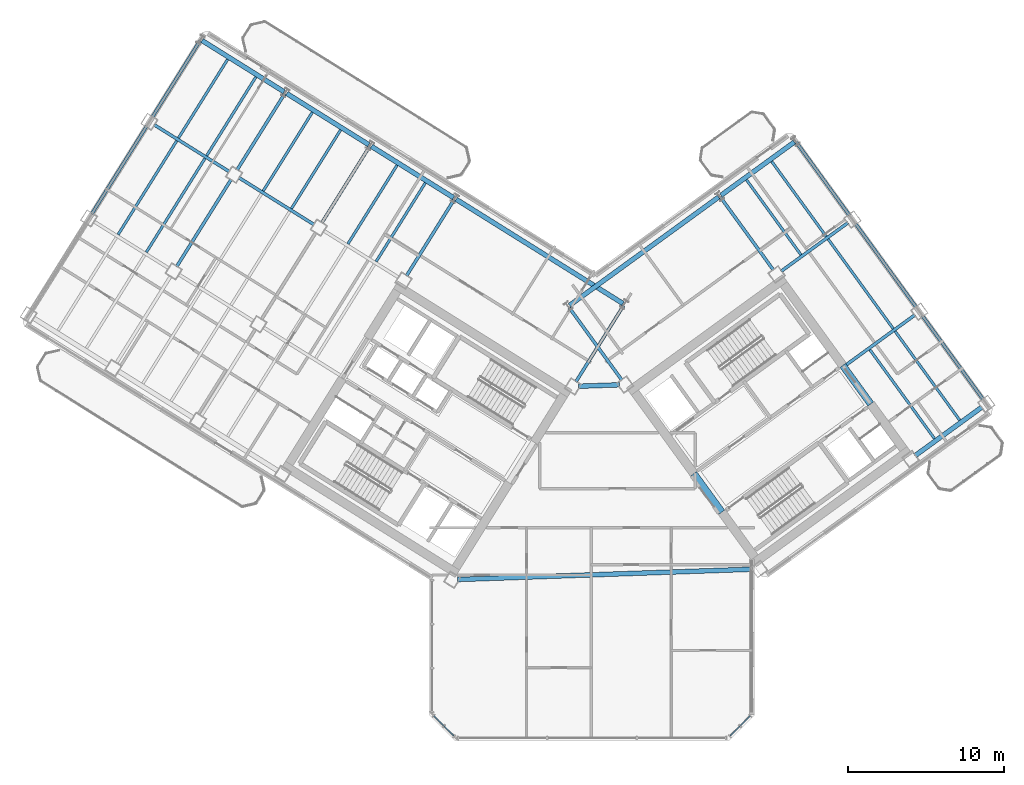
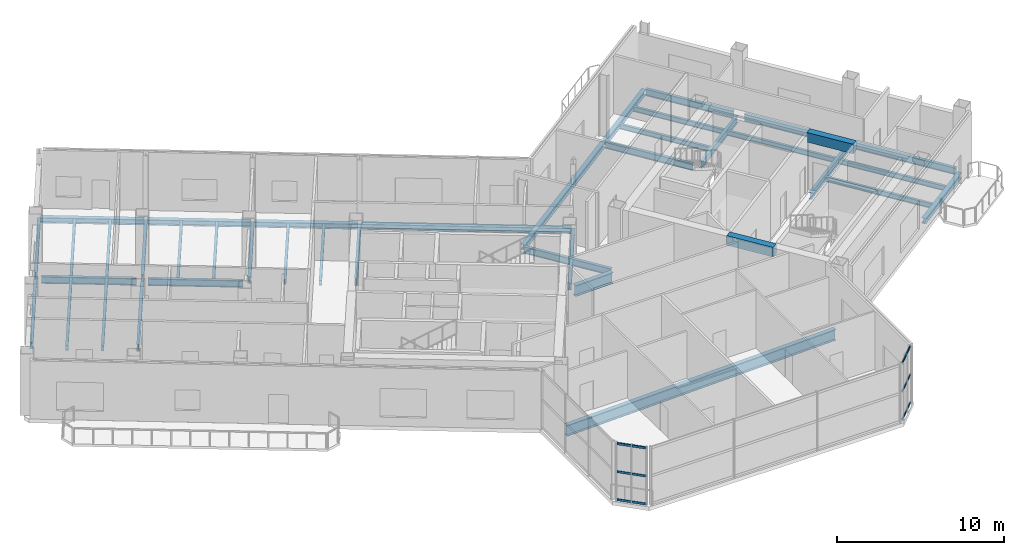
# One storey, part 7 of 21: 40 beams, 12 members, 2 elements without a shape of their own.
"""IFC4 building model written with IfcOpenShell, lengths in metres."""

import ifcopenshell
import ifcopenshell.guid

model = None  # the IFC model being written
_history = None  # IfcOwnerHistory: only IFC2X3 demands one
_inside = {}  # id of a spatial element -> (the spatial element, [elements in it])
_under = {}  # id of a project, library or spatial element -> (it, [spatial elements below it])
_declared = {}  # id of a project -> (the project, [libraries it declares])
_typed = {}  # id of a type object -> (the type object, [elements of that type])
_made_of = {}  # id of a material, layer set ... -> (it, [elements and type objects made of it])


def new_model(schema):
    """Start an empty IFC model of exactly this schema.

    Asked for "IFC4X3", IfcOpenShell would pick the latest addendum, in which some entities
    have other attributes; the version numbers below select the first issue.
    IFC2X3 requires an IfcOwnerHistory on every rooted entity: one is made here for all.
    """
    global model, _history
    if schema == "IFC4X3":
        model = ifcopenshell.file(schema_version=(4, 3, 0, 0))
    else:
        model = ifcopenshell.file(schema=schema)
    _inside.clear()
    _under.clear()
    _declared.clear()
    _typed.clear()
    _made_of.clear()
    _history = None
    if model.schema == "IFC2X3":
        org = make("IfcOrganization", Name="unknown")
        user = make(
            "IfcPersonAndOrganization",
            ThePerson=make("IfcPerson", FamilyName="unknown"),
            TheOrganization=org,
        )
        app = make(
            "IfcApplication",
            ApplicationDeveloper=org,
            Version="unknown",
            ApplicationFullName="unknown",
            ApplicationIdentifier="unknown",
        )
        _history = make(
            "IfcOwnerHistory",
            OwningUser=user,
            OwningApplication=app,
            ChangeAction="ADDED",
            CreationDate=0,
        )
    return model


def make(cls, **values):
    """One entity of the class cls with the attributes given. An attribute that is None is left unset."""
    return model.create_entity(
        cls, **{name: value for name, value in values.items() if value is not None}
    )


def rooted(cls, **values):
    """An entity with a GlobalId (a new one), such as an element, a storey or a relation."""
    return make(cls, GlobalId=ifcopenshell.guid.new(), OwnerHistory=_history, **values)


def si_unit(unit_type, name, prefix=None):
    """IfcSIUnit, for example si_unit("LENGTHUNIT", "METRE", prefix="MILLI")."""
    return make("IfcSIUnit", UnitType=unit_type, Prefix=prefix, Name=name)


def assignment(units):
    """IfcUnitAssignment: the units of a project."""
    return None if units is None else make("IfcUnitAssignment", Units=units)


def point(xyz):
    """IfcCartesianPoint."""
    return None if xyz is None else make("IfcCartesianPoint", Coordinates=xyz)


def direction(xyz):
    """IfcDirection."""
    return None if xyz is None else make("IfcDirection", DirectionRatios=xyz)


def frame(location, z_axis=None, x_axis=None):
    """IfcAxis2Placement3D, a coordinate frame: its origin and axes. An axis left out is left unset."""
    return make(
        "IfcAxis2Placement3D",
        Location=point(location),
        Axis=direction(z_axis),
        RefDirection=direction(x_axis),
    )


def frame_2d(location, x_axis=None):
    """IfcAxis2Placement2D, a coordinate frame in the plane: its origin and x axis."""
    return make(
        "IfcAxis2Placement2D", Location=point(location), RefDirection=direction(x_axis)
    )


def origin():
    """The frame at (0, 0, 0) with its axes left unset."""
    return frame((0.0, 0.0, 0.0))


def origin_2d():
    """The frame at (0, 0) in the plane with its x axis left unset."""
    return frame_2d((0.0, 0.0))


def place(relative_to, where):
    """IfcLocalPlacement: puts the frame where relative to a parent placement (None: the world)."""
    return make(
        "IfcLocalPlacement", PlacementRelTo=relative_to, RelativePlacement=where
    )


def context(
    kind, dimensions, precision=None, world=None, true_north=None, identifier=None
):
    """IfcGeometricRepresentationContext, for example the 3D "Model" context."""
    return make(
        "IfcGeometricRepresentationContext",
        ContextIdentifier=identifier,
        ContextType=kind,
        CoordinateSpaceDimension=dimensions,
        Precision=precision,
        WorldCoordinateSystem=world,
        TrueNorth=true_north,
    )


def subcontext(parent, identifier, kind, view, scale=None):
    """IfcGeometricRepresentationSubContext, for example "Body" below "Model"."""
    return make(
        "IfcGeometricRepresentationSubContext",
        ContextIdentifier=identifier,
        ContextType=kind,
        ParentContext=parent,
        TargetScale=scale,
        TargetView=view,
    )


def project(units=None, contexts=None):
    """IfcProject with its units and contexts."""
    return rooted(
        "IfcProject",
        Name="project",
        RepresentationContexts=contexts,
        UnitsInContext=assignment(units),
    )


def spatial(cls, under=None, at=None, **own):
    """A site, building, storey or space (cls), placed at a placement, below another one or the project."""
    s = rooted(cls, ObjectPlacement=at, **own)
    if under is not None:
        _under.setdefault(under.id(), (under, []))[1].append(s)
    return s


def profile(cls, at=None, kind="AREA", **sizes):
    """A parametric profile (cls). Its sizes go by their IFC names, for example OverallWidth=200.0."""
    return make(cls, ProfileType=kind, Position=at, **sizes)


def rectangle(**sizes):
    """IfcRectangleProfileDef."""
    return profile("IfcRectangleProfileDef", **sizes)


def hollow_rectangle(**sizes):
    """IfcRectangleHollowProfileDef."""
    return profile("IfcRectangleHollowProfileDef", **sizes)


def i_section(**sizes):
    """IfcIShapeProfileDef."""
    return profile("IfcIShapeProfileDef", **sizes)


def extrude(swept, where, along, depth):
    """IfcExtrudedAreaSolid: the profile swept, set in the frame where, extruded along a direction by depth."""
    return make(
        "IfcExtrudedAreaSolid",
        SweptArea=swept,
        Position=where,
        ExtrudedDirection=direction(along),
        Depth=depth,
    )


def shape(context_of_items, identifier, shape_type, items):
    """IfcShapeRepresentation: the items that make up one representation, for example the "Body"."""
    return make(
        "IfcShapeRepresentation",
        ContextOfItems=context_of_items,
        RepresentationIdentifier=identifier,
        RepresentationType=shape_type,
        Items=items,
    )


def source(mapping_origin, context_of_items, identifier, shape_type, items):
    """IfcRepresentationMap: a shape defined once, which mapped items show again and again."""
    return make(
        "IfcRepresentationMap",
        MappingOrigin=mapping_origin,
        MappedRepresentation=shape(context_of_items, identifier, shape_type, items),
    )


def transform(
    local_origin,
    x_axis=None,
    y_axis=None,
    z_axis=None,
    scale=None,
    scale2=None,
    scale3=None,
    uniform=True,
):
    """IfcCartesianTransformationOperator3D, or its non-uniform kind. x_axis, y_axis, z_axis: its Axis1, 2, 3."""
    if uniform:
        return make(
            "IfcCartesianTransformationOperator3D",
            Axis1=direction(x_axis),
            Axis2=direction(y_axis),
            LocalOrigin=point(local_origin),
            Scale=scale,
            Axis3=direction(z_axis),
        )
    return make(
        "IfcCartesianTransformationOperator3DnonUniform",
        Axis1=direction(x_axis),
        Axis2=direction(y_axis),
        LocalOrigin=point(local_origin),
        Scale=scale,
        Axis3=direction(z_axis),
        Scale2=scale2,
        Scale3=scale3,
    )


def mapped(mapping_source, mapping_target):
    """IfcMappedItem: shows the shape of a source again, moved by a transform."""
    return make(
        "IfcMappedItem", MappingSource=mapping_source, MappingTarget=mapping_target
    )


def material(Name=None, Category=None):
    """IfcMaterial."""
    return make("IfcMaterial", Name=Name, Category=Category)


def material_profile(
    of_material, cross_section, Name=None, Category=None, Priority=None
):
    """IfcMaterialProfile: a cross section and its material."""
    return make(
        "IfcMaterialProfile",
        Name=Name,
        Material=of_material,
        Profile=cross_section,
        Priority=Priority,
        Category=Category,
    )


def profile_set(profiles, Name=None, composite=None):
    """IfcMaterialProfileSet."""
    return make(
        "IfcMaterialProfileSet",
        Name=Name,
        MaterialProfiles=profiles,
        CompositeProfile=composite,
    )


def made_of(thing, what):
    """Note that an element or type object is made of a material, layer set ...; save() writes the relation."""
    if what is not None:
        _made_of.setdefault(what.id(), (what, []))[1].append(thing)
    return thing


def type_object(cls, material=None, **own):
    """A type object (cls), such as IfcWallType, which elements share."""
    return made_of(rooted(cls, **own), material)


def element(
    cls,
    number,
    at=None,
    inside=None,
    cuts=None,
    type_object=None,
    material=None,
    context=None,
    identifier="Body",
    shape_type=None,
    held_by="IfcProductDefinitionShape",
    body=None,
    shapes=None,
    **own,
):
    """One element of the class cls, such as IfcWall. Its Tag is "e" and its number.

    at: its placement. inside: the storey or other place that contains it. cuts: it is an
    opening in that element (IfcRelVoidsElement). A single representation is given by context,
    identifier, shape_type and body (its items); several are given by shapes. held_by: the class
    of the entity that holds the representations. save() writes the other relations.
    """
    e = rooted(cls, Tag="e%d" % number, ObjectPlacement=at, **own)
    if body is not None:
        shapes = [shape(context, identifier, shape_type, body)]
    if shapes is not None:
        e.Representation = make(held_by, Representations=shapes)
    if inside is not None:
        _inside.setdefault(inside.id(), (inside, []))[1].append(e)
    if cuts is not None:
        rooted(
            "IfcRelVoidsElement", RelatingBuildingElement=cuts, RelatedOpeningElement=e
        )
    if type_object is not None:
        _typed.setdefault(type_object.id(), (type_object, []))[1].append(e)
    return made_of(e, material)


def aggregate(whole, parts):
    """IfcRelAggregates: a whole, such as a stair, and the parts it consists of."""
    return rooted("IfcRelAggregates", RelatingObject=whole, RelatedObjects=parts)


def save(model, path):
    """Write the relations noted so far, then the file.

    IfcRelAggregates (storeys below a building ...), IfcRelContainedInSpatialStructure (elements
    in a storey), IfcRelDefinesByType, IfcRelAssociatesMaterial and IfcRelDeclares: one each for
    every whole, place, type object, material and project.
    """
    for whole, parts in _under.values():
        aggregate(whole, parts)
    for where, things in _inside.values():
        rooted(
            "IfcRelContainedInSpatialStructure",
            RelatedElements=things,
            RelatingStructure=where,
        )
    for kind, things in _typed.values():
        rooted("IfcRelDefinesByType", RelatedObjects=things, RelatingType=kind)
    for what, things in _made_of.values():
        rooted("IfcRelAssociatesMaterial", RelatedObjects=things, RelatingMaterial=what)
    for by, libraries in _declared.values():
        rooted("IfcRelDeclares", RelatingContext=by, RelatedDefinitions=libraries)
    model.write(path)


model = new_model("IFC4")

# Units and contexts
model_context = context("Model", 3, precision=1e-05, world=origin(), true_north=direction((0.0, 1.0)))
body_context = subcontext(model_context, "Body", "Model", "MODEL_VIEW")
ifc_project = project(units=[si_unit("LENGTHUNIT", "METRE"), si_unit("AREAUNIT", "SQUARE_METRE"), si_unit("VOLUMEUNIT", "CUBIC_METRE"), si_unit("PLANEANGLEUNIT", "RADIAN"), si_unit("MASSUNIT", "GRAM", prefix="KILO")], contexts=[model_context])

# Site, building, storey
site_placement = place(None, origin())
site = spatial("IfcSite", under=ifc_project, at=site_placement, CompositionType="ELEMENT")
building_placement = place(site_placement, origin())
building = spatial("IfcBuilding", under=site, at=building_placement, Name="Tlacorven Tower", CompositionType="ELEMENT")
storey_placement = place(building_placement, frame((0.0, 0.0, 199.5)))
storey = spatial("IfcBuildingStorey", under=building, at=storey_placement, Name="L50", CompositionType="ELEMENT", Elevation=199.5)

# Beams
ifc_material_1 = material(Name="Concrete C60/75", Category="concrete")
ifc_material_profile_1 = material_profile(ifc_material_1, rectangle(XDim=0.449951171875, YDim=0.699951171875, at=origin_2d()), Name="RC 450X700")
ifc_profile_set_1 = profile_set([ifc_material_profile_1], Name="Concrete C60/75")
beam_type_1 = type_object("IfcBeamType", Name="BM-LNT-700", PredefinedType="LINTEL", material=ifc_profile_set_1)
shared_shape_1 = source(origin(), body_context, "Body", "SweptSolid", [
    extrude(rectangle(XDim=0.449951171875, YDim=0.699951171875, at=origin_2d()), origin(), (0.0, 0.0, 1.0), 3.050048828125),
])
for number, where, z_axis, x_axis, name in (
    (1, (50.318359375, 16.416015625, 3.89990234375), (-0.587776590479, 0.80902328748, 0.0), (-0.80902328748, -0.587776590479, 0.0), "L50 E core coupling lintel beam E1"),
    (2, (59.856689453125, 23.345947265625, 3.89990234375), (-0.587776590479, 0.80902328748, 0.0), (-0.80902328748, -0.587776590479, 0.0), "L50 E core coupling lintel beam E2"),
):
    element("IfcBeam", number, at=place(storey_placement, frame(where, z_axis=z_axis, x_axis=x_axis)), inside=storey, type_object=beam_type_1, Name=name, PredefinedType="LINTEL", context=body_context, shape_type="MappedRepresentation", body=[
        mapped(shared_shape_1, transform((0.0, 0.0, 0.0), scale=1.0)),
    ])
ifc_material_2 = material(Name="Steel S355J2", Category="steel")
ifc_material_profile_2 = material_profile(ifc_material_2, i_section(OverallWidth=0.300048828125, OverallDepth=0.800048828125, WebThickness=0.017578125, FlangeThickness=0.032958984375, at=origin_2d()), Name="HEB 800")
ifc_profile_set_2 = profile_set([ifc_material_profile_2], Name="Steel S355J2")
beam_type_2 = type_object("IfcBeamType", Name="BM-POD-800", PredefinedType="BEAM", material=ifc_profile_set_2)
shared_shape_2 = source(origin(), body_context, "Body", "SweptSolid", [
    extrude(i_section(OverallWidth=0.300048828125, OverallDepth=0.800048828125, WebThickness=0.017578125, FlangeThickness=0.032958984375, at=origin_2d()), origin(), (0.0, 0.0, 1.0), 2.642822265625),
])
beam_1_placement = place(storey_placement, frame((41.1328125, 24.480712890625, -0.679931640625), z_axis=(0.999393314814, 0.034828182629, 0.0), x_axis=(-0.034828182629, 0.999393314814, 0.0)))
element("IfcBeam", 3, at=beam_1_placement, inside=storey, type_object=beam_type_2, Name="L50 Knuckle Link Girder 1", PredefinedType="BEAM", context=body_context, shape_type="MappedRepresentation", body=[
    mapped(shared_shape_2, transform((0.0, 0.0, 0.0), scale=1.0)),
])
ifc_material_profile_3 = material_profile(ifc_material_2, i_section(OverallWidth=0.199951171875, OverallDepth=0.5, WebThickness=0.01025390625, FlangeThickness=0.01611328125, at=origin_2d()), Name="IPE 500")
ifc_profile_set_3 = profile_set([ifc_material_profile_3], Name="Steel S355J2")
beam_type_3 = type_object("IfcBeamType", Name="BM-TWR-500", PredefinedType="BEAM", material=ifc_profile_set_3)
shared_shape_3 = source(origin(), body_context, "Body", "SweptSolid", [
    extrude(i_section(OverallWidth=0.199951171875, OverallDepth=0.5, WebThickness=0.01025390625, FlangeThickness=0.01611328125, at=origin_2d()), origin(), (0.0, 0.0, 1.0), 5.7001953125),
])
for number, where, z_axis, x_axis, name in (
    (4, (24.20361328125, 34.828369140625, -0.530029296875), (-0.848056048787, 0.529906537151, 0.0), (-0.529906537151, -0.848056048787, 0.0), "L50 beam BM-L50-WL2-4"),
    (5, (18.776123046875, 38.2197265625, -0.530029296875), (-0.848056048787, 0.529906537151, 0.0), (-0.529906537151, -0.848056048787, 0.0), "L50 beam BM-L50-WL2-5"),
):
    element("IfcBeam", number, at=place(storey_placement, frame(where, z_axis=z_axis, x_axis=x_axis)), inside=storey, type_object=beam_type_3, Name=name, PredefinedType="BEAM", context=body_context, shape_type="MappedRepresentation", body=[
        mapped(shared_shape_3, transform((0.0, 0.0, 0.0), scale=1.0)),
    ])
shared_shape_4 = source(origin(), body_context, "Body", "SweptSolid", [
    extrude(i_section(OverallWidth=0.199951171875, OverallDepth=0.5, WebThickness=0.01025390625, FlangeThickness=0.01611328125, at=origin_2d()), origin(), (0.0, 0.0, 1.0), 5.75),
])
for number, where, z_axis, x_axis, name in (
    (6, (44.015380859375, 29.6416015625, -0.530029296875), (-0.529884439831, -0.848069855864, 0.0), (0.848069855864, -0.529884439831, 0.0), "L50 beam BM-L50-WT1-1"),
    (7, (33.160400390625, 36.424560546875, -0.530029296875), (-0.529884439831, -0.848069855864, 0.0), (0.848069855864, -0.529884439831, 0.0), "L50 beam BM-L50-WT3-1"),
    (8, (27.73291015625, 39.81591796875, -0.530029296875), (-0.529934056882, -0.848038852504, 0.0), (0.848038852504, -0.529934056882, 0.0), "L50 beam BM-L50-WT4-1"),
    (9, (16.8779296875, 46.598876953125, -0.530029296875), (-0.529934056882, -0.848038852504, 0.0), (0.848038852504, -0.529934056882, 0.0), "L50 beam BM-L50-WT6-1"),
    (10, (43.91796875, 24.8681640625, -0.530029296875), (-0.587770208527, 0.809027924097, 0.0), (-0.809027924097, -0.587770208527, 0.0), "L50 beam BM-L50-ET1-2"),
    (11, (53.626220703125, 31.921630859375, -0.530029296875), (-0.587770208527, 0.809027924097, 0.0), (-0.809027924097, -0.587770208527, 0.0), "L50 beam BM-L50-ET3-2"),
    (12, (58.480224609375, 35.4482421875, -0.530029296875), (-0.587770208527, 0.809027924097, 0.0), (-0.809027924097, -0.587770208527, 0.0), "L50 beam BM-L50-ET4-3"),
):
    element("IfcBeam", number, at=place(storey_placement, frame(where, z_axis=z_axis, x_axis=x_axis)), inside=storey, type_object=beam_type_3, Name=name, PredefinedType="BEAM", context=body_context, shape_type="MappedRepresentation", body=[
        mapped(shared_shape_4, transform((0.0, 0.0, 0.0), scale=1.0)),
    ])
shared_shape_5 = source(origin(), body_context, "Body", "SweptSolid", [
    extrude(i_section(OverallWidth=0.199951171875, OverallDepth=0.5, WebThickness=0.01025390625, FlangeThickness=0.01611328125, at=origin_2d()), origin(), (0.0, 0.0, 1.0), 6.599853515625),
])
beam_2_placement = place(storey_placement, frame((13.4599609375, 41.12890625, -0.530029296875), z_axis=(-0.529942412256, -0.848033631227, 0.0), x_axis=(0.848033631227, -0.529942412256, 0.0)))
element("IfcBeam", 13, at=beam_2_placement, inside=storey, type_object=beam_type_3, Name="L50 beam BM-L50-WT6-2", PredefinedType="BEAM", context=body_context, shape_type="MappedRepresentation", body=[
    mapped(shared_shape_5, transform((0.0, 0.0, 0.0), scale=1.0)),
])
shared_shape_6 = source(origin(), body_context, "Body", "SweptSolid", [
    extrude(i_section(OverallWidth=0.199951171875, OverallDepth=0.5, WebThickness=0.01025390625, FlangeThickness=0.01611328125, at=origin_2d()), origin(), (0.0, 0.0, 1.0), 6.60009765625),
])
for number, where, z_axis, x_axis, name in (
    (14, (18.887451171875, 37.737548828125, -0.530029296875), (-0.529925788294, -0.848044019436, 0.0), (0.848044019436, -0.529925788294, 0.0), "L50 beam BM-L50-WT5-2"),
    (15, (67.06201171875, 23.63671875, -0.530029296875), (-0.587780128583, 0.809020716943, 0.0), (-0.809020716943, -0.587780128583, 0.0), "L50 beam BM-L50-ET4-1"),
    (16, (62.771240234375, 29.54248046875, -0.530029296875), (-0.587780128583, 0.809020716943, 0.0), (-0.809020716943, -0.587780128583, 0.0), "L50 beam BM-L50-ET4-2"),
):
    element("IfcBeam", number, at=place(storey_placement, frame(where, z_axis=z_axis, x_axis=x_axis)), inside=storey, type_object=beam_type_3, Name=name, PredefinedType="BEAM", context=body_context, shape_type="MappedRepresentation", body=[
        mapped(shared_shape_6, transform((0.0, 0.0, 0.0), scale=1.0)),
    ])
shared_shape_7 = source(origin(), body_context, "Body", "SweptSolid", [
    extrude(i_section(OverallWidth=0.199951171875, OverallDepth=0.5, WebThickness=0.01025390625, FlangeThickness=0.01611328125, at=origin_2d()), origin(), (0.0, 0.0, 1.0), 5.750244140625),
])
beam_3_placement = place(storey_placement, frame((22.305419921875, 43.20751953125, -0.530029296875), z_axis=(-0.529914976044, -0.848050775699, 0.0), x_axis=(0.848050775699, -0.529914976044, 0.0)))
element("IfcBeam", 17, at=beam_3_placement, inside=storey, type_object=beam_type_3, Name="L50 beam BM-L50-WT5-1", PredefinedType="BEAM", context=body_context, shape_type="MappedRepresentation", body=[
    mapped(shared_shape_7, transform((0.0, 0.0, 0.0), scale=1.0)),
])
ifc_material_profile_4 = material_profile(ifc_material_2, i_section(OverallWidth=0.169921875, OverallDepth=0.360107421875, WebThickness=0.008056640625, FlangeThickness=0.0126953125, at=origin_2d()), Name="IPE 360")
ifc_profile_set_4 = profile_set([ifc_material_profile_4], Name="Steel S355J2")
beam_type_4 = type_object("IfcBeamType", Name="BM-JST-360", PredefinedType="JOIST", material=ifc_profile_set_4)
shared_shape_8 = source(origin(), body_context, "Body", "SweptSolid", [
    extrude(i_section(OverallWidth=0.169921875, OverallDepth=0.360107421875, WebThickness=0.008056640625, FlangeThickness=0.0126953125, at=origin_2d()), origin(), (0.0, 0.0, 1.0), 7.0400390625),
])
beam_4_placement = place(storey_placement, frame((63.9404296875, 21.127685546875, -0.4599609375), z_axis=(-0.587773661987, 0.809025415098, 0.0), x_axis=(-0.809025415098, -0.587773661987, 0.0)))
element("IfcBeam", 18, at=beam_4_placement, inside=storey, type_object=beam_type_4, Name="L50 beam BM-L50-EJ3-1-1", PredefinedType="JOIST", context=body_context, shape_type="MappedRepresentation", body=[
    mapped(shared_shape_8, transform((0.0, 0.0, 0.0), scale=1.0)),
])
shared_shape_9 = source(origin(), body_context, "Body", "SweptSolid", [
    extrude(i_section(OverallWidth=0.169921875, OverallDepth=0.360107421875, WebThickness=0.008056640625, FlangeThickness=0.0126953125, at=origin_2d()), origin(), (0.0, 0.0, 1.0), 5.940185546875),
])
for number, where, z_axis, x_axis, name in (
    (19, (29.512939453125, 38.638916015625, -0.4599609375), (-0.529902882565, -0.848058332339, 0.0), (0.848058332339, -0.529902882565, 0.0), "L50 beam BM-L50-WJ3-1-2"),
    (20, (25.894775390625, 40.899658203125, -0.4599609375), (-0.529950911506, -0.848028319924, 0.0), (0.848028319924, -0.529950911506, 0.0), "L50 beam BM-L50-WJ4-1-1"),
    (21, (18.657958984375, 45.421875, -0.4599609375), (-0.529902882565, -0.848058332339, 0.0), (0.848058332339, -0.529902882565, 0.0), "L50 beam BM-L50-WJ5-1-2"),
    (22, (55.38818359375, 32.89892578125, -0.4599609375), (-0.587778174144, 0.809022136903, 0.0), (-0.809022136903, -0.587778174144, 0.0), "L50 beam BM-L50-EJ3-3-1"),
    (23, (57.00634765625, 34.074462890625, -0.4599609375), (-0.587778174144, 0.809022136903, 0.0), (-0.809022136903, -0.587778174144, 0.0), "L50 beam BM-L50-EJ3-3-2"),
):
    element("IfcBeam", number, at=place(storey_placement, frame(where, z_axis=z_axis, x_axis=x_axis)), inside=storey, type_object=beam_type_4, Name=name, PredefinedType="JOIST", context=body_context, shape_type="MappedRepresentation", body=[
        mapped(shared_shape_9, transform((0.0, 0.0, 0.0), scale=1.0)),
    ])
shared_shape_10 = source(origin(), body_context, "Body", "SweptSolid", [
    extrude(i_section(OverallWidth=0.169921875, OverallDepth=0.360107421875, WebThickness=0.008056640625, FlangeThickness=0.0126953125, at=origin_2d()), origin(), (0.0, 0.0, 1.0), 7.090087890625),
])
for number, where, z_axis, x_axis, name in (
    (24, (17.208251953125, 39.07568359375, -0.4599609375), (-0.529937035031, -0.848036991471, 0.0), (0.848036991471, -0.529937035031, 0.0), "L50 beam BM-L50-WJ5-2-1"),
    (25, (15.39892578125, 40.206298828125, -0.4599609375), (-0.529912270669, -0.84805246618, 0.0), (0.84805246618, -0.529912270669, 0.0), "L50 beam BM-L50-WJ5-2-2"),
    (26, (61.297119140625, 28.168701171875, -0.4599609375), (-0.587782622309, 0.809018905164, 0.0), (-0.809018905164, -0.587782622309, 0.0), "L50 beam BM-L50-EJ3-2-2"),
):
    element("IfcBeam", number, at=place(storey_placement, frame(where, z_axis=z_axis, x_axis=x_axis)), inside=storey, type_object=beam_type_4, Name=name, PredefinedType="JOIST", context=body_context, shape_type="MappedRepresentation", body=[
        mapped(shared_shape_10, transform((0.0, 0.0, 0.0), scale=1.0)),
    ])
shared_shape_11 = source(origin(), body_context, "Body", "SweptSolid", [
    extrude(i_section(OverallWidth=0.169921875, OverallDepth=0.360107421875, WebThickness=0.008056640625, FlangeThickness=0.0126953125, at=origin_2d()), origin(), (0.0, 0.0, 1.0), 5.93994140625),
])
for number, where, z_axis, x_axis, name in (
    (27, (31.322265625, 37.50830078125, -0.4599609375), (-0.529921352973, -0.848046790963, 0.0), (0.848046790963, -0.529921352973, 0.0), "L50 beam BM-L50-WJ3-1-1"),
    (28, (24.08544921875, 42.0302734375, -0.4599609375), (-0.529921352973, -0.848046790963, 0.0), (0.848046790963, -0.529921352973, 0.0), "L50 beam BM-L50-WJ4-1-2"),
    (29, (20.467041015625, 44.291259765625, -0.4599609375), (-0.529921352973, -0.848046790963, 0.0), (0.848046790963, -0.529921352973, 0.0), "L50 beam BM-L50-WJ5-1-1"),
):
    element("IfcBeam", number, at=place(storey_placement, frame(where, z_axis=z_axis, x_axis=x_axis)), inside=storey, type_object=beam_type_4, Name=name, PredefinedType="JOIST", context=body_context, shape_type="MappedRepresentation", body=[
        mapped(shared_shape_11, transform((0.0, 0.0, 0.0), scale=1.0)),
    ])
shared_shape_12 = source(origin(), body_context, "Body", "SweptSolid", [
    extrude(i_section(OverallWidth=0.169921875, OverallDepth=0.360107421875, WebThickness=0.008056640625, FlangeThickness=0.0126953125, at=origin_2d()), origin(), (0.0, 0.0, 1.0), 7.039794921875),
])
beam_5_placement = place(storey_placement, frame((65.55859375, 22.303466796875, -0.4599609375), z_axis=(-0.587790152999, 0.809013433781, 0.0), x_axis=(-0.809013433781, -0.587790152999, 0.0)))
element("IfcBeam", 30, at=beam_5_placement, inside=storey, type_object=beam_type_4, Name="L50 beam BM-L50-EJ3-1-2", PredefinedType="JOIST", context=body_context, shape_type="MappedRepresentation", body=[
    mapped(shared_shape_12, transform((0.0, 0.0, 0.0), scale=1.0)),
])
shared_shape_13 = source(origin(), body_context, "Body", "SweptSolid", [
    extrude(i_section(OverallWidth=0.199951171875, OverallDepth=0.5, WebThickness=0.01025390625, FlangeThickness=0.01611328125, at=origin_2d()), origin(), (0.0, 0.0, 1.0), 5.300048828125),
])
beam_6_placement = place(storey_placement, frame((54.114990234375, 31.84423828125, -0.530029296875), z_axis=(0.809022830186, 0.587777219904, 0.0), x_axis=(-0.587777219904, 0.809022830186, 0.0)))
element("IfcBeam", 31, at=beam_6_placement, inside=storey, type_object=beam_type_3, Name="L50 beam BM-L50-EL3-3", PredefinedType="BEAM", context=body_context, shape_type="MappedRepresentation", body=[
    mapped(shared_shape_13, transform((0.0, 0.0, 0.0), scale=1.0)),
])
shared_shape_14 = source(origin(), body_context, "Body", "SweptSolid", [
    extrude(i_section(OverallWidth=0.199951171875, OverallDepth=0.5, WebThickness=0.01025390625, FlangeThickness=0.01611328125, at=origin_2d()), origin(), (0.0, 0.0, 1.0), 5.6103515625),
])
beam_7_placement = place(storey_placement, frame((58.155029296875, 25.756103515625, -0.530029296875), z_axis=(0.809020142627, 0.587780919071, 0.0), x_axis=(-0.587780919071, 0.809020142627, 0.0)))
element("IfcBeam", 32, at=beam_7_placement, inside=storey, type_object=beam_type_3, Name="L50 beam BM-L50-EL2-3", PredefinedType="BEAM", context=body_context, shape_type="MappedRepresentation", body=[
    mapped(shared_shape_14, transform((0.0, 0.0, 0.0), scale=1.0)),
])
shared_shape_15 = source(origin(), body_context, "Body", "SweptSolid", [
    extrude(i_section(OverallWidth=0.300048828125, OverallDepth=0.800048828125, WebThickness=0.017578125, FlangeThickness=0.032958984375, at=origin_2d()), origin(), (0.0, 0.0, 1.0), 18.97119140625),
])
beam_8_placement = place(storey_placement, frame((33.39599609375, 12.09912109375, -0.679931640625), z_axis=(0.999390787537, 0.034900627304, 0.0), x_axis=(-0.034900627304, 0.999390787537, 0.0)))
element("IfcBeam", 33, at=beam_8_placement, inside=storey, type_object=beam_type_2, Name="L50 Knuckle Link Girder 2", PredefinedType="BEAM", context=body_context, shape_type="MappedRepresentation", body=[
    mapped(shared_shape_15, transform((0.0, 0.0, 0.0), scale=1.0)),
])
ifc_material_profile_5 = material_profile(ifc_material_2, i_section(OverallWidth=0.300048828125, OverallDepth=0.389892578125, WebThickness=0.010986328125, FlangeThickness=0.01904296875, at=origin_2d()), Name="HEA 400")
ifc_profile_set_5 = profile_set([ifc_material_profile_5], Name="Steel S355J2")
beam_type_5 = type_object("IfcBeamType", Name="BM-SPN-400", PredefinedType="SPANDREL", material=ifc_profile_set_5)
shared_shape_16 = source(origin(), body_context, "Body", "SweptSolid", [
    extrude(i_section(OverallWidth=0.300048828125, OverallDepth=0.389892578125, WebThickness=0.010986328125, FlangeThickness=0.01904296875, at=origin_2d()), origin(), (0.0, 0.0, 1.0), 12.599853515625),
])
beam_9_placement = place(storey_placement, frame((43.983642578125, 29.779296875, -0.47509765625), z_axis=(-0.848045108756, 0.529924045043, 0.0), x_axis=(-0.529924045043, -0.848045108756, 0.0)))
element("IfcBeam", 34, at=beam_9_placement, inside=storey, type_object=beam_type_5, Name="L50 beam BM-L50-WL1-1", PredefinedType="SPANDREL", context=body_context, shape_type="MappedRepresentation", body=[
    mapped(shared_shape_16, transform((0.0, 0.0, 0.0), scale=1.0)),
])
shared_shape_17 = source(origin(), body_context, "Body", "SweptSolid", [
    extrude(i_section(OverallWidth=0.300048828125, OverallDepth=0.389892578125, WebThickness=0.010986328125, FlangeThickness=0.01904296875, at=origin_2d()), origin(), (0.0, 0.0, 1.0), 6.199951171875),
])
beam_10_placement = place(storey_placement, frame((33.128662109375, 36.562255859375, -0.47509765625), z_axis=(-0.848051394107, 0.529913986372, 0.0), x_axis=(-0.529913986372, -0.848051394107, 0.0)))
element("IfcBeam", 35, at=beam_10_placement, inside=storey, type_object=beam_type_5, Name="L50 beam BM-L50-WL1-3", PredefinedType="SPANDREL", context=body_context, shape_type="MappedRepresentation", body=[
    mapped(shared_shape_17, transform((0.0, 0.0, 0.0), scale=1.0)),
])
shared_shape_18 = source(origin(), body_context, "Body", "SweptSolid", [
    extrude(i_section(OverallWidth=0.300048828125, OverallDepth=0.389892578125, WebThickness=0.010986328125, FlangeThickness=0.01904296875, at=origin_2d()), origin(), (0.0, 0.0, 1.0), 6.2001953125),
])
for number, where, z_axis, x_axis, name in (
    (36, (27.701171875, 39.95361328125, -0.47509765625), (-0.84804475579, 0.5299246099, 0.0), (-0.5299246099, -0.84804475579, 0.0), "L50 beam BM-L50-WL1-4"),
    (37, (22.273681640625, 43.34521484375, -0.47509765625), (-0.848062451332, 0.529896290457, 0.0), (-0.529896290457, -0.848062451332, 0.0), "L50 beam BM-L50-WL1-5"),
):
    element("IfcBeam", number, at=place(storey_placement, frame(where, z_axis=z_axis, x_axis=x_axis)), inside=storey, type_object=beam_type_5, Name=name, PredefinedType="SPANDREL", context=body_context, shape_type="MappedRepresentation", body=[
        mapped(shared_shape_18, transform((0.0, 0.0, 0.0), scale=1.0)),
    ])
shared_shape_19 = source(origin(), body_context, "Body", "SweptSolid", [
    extrude(i_section(OverallWidth=0.300048828125, OverallDepth=0.389892578125, WebThickness=0.010986328125, FlangeThickness=0.01904296875, at=origin_2d()), origin(), (0.0, 0.0, 1.0), 5.300048828125),
])
beam_11_placement = place(storey_placement, frame((62.69677734375, 20.032470703125, -0.47509765625), z_axis=(0.809022830186, 0.587777219904, 0.0), x_axis=(-0.587777219904, 0.809022830186, 0.0)))
element("IfcBeam", 38, at=beam_11_placement, inside=storey, type_object=beam_type_5, Name="L50 beam BM-L50-EL1-3", PredefinedType="SPANDREL", context=body_context, shape_type="MappedRepresentation", body=[
    mapped(shared_shape_19, transform((0.0, 0.0, 0.0), scale=1.0)),
])
shared_shape_20 = source(origin(), body_context, "Body", "SweptSolid", [
    extrude(i_section(OverallWidth=0.300048828125, OverallDepth=0.389892578125, WebThickness=0.010986328125, FlangeThickness=0.01904296875, at=origin_2d()), origin(), (0.0, 0.0, 1.0), 11.800048828125),
])
beam_12_placement = place(storey_placement, frame((40.560302734375, 29.65966796875, -0.47509765625), z_axis=(0.80900977213, 0.587795192732, 0.0), x_axis=(-0.587795192732, 0.80900977213, 0.0)))
element("IfcBeam", 39, at=beam_12_placement, inside=storey, type_object=beam_type_5, Name="L50 beam BM-L50-EL4-1", PredefinedType="SPANDREL", context=body_context, shape_type="MappedRepresentation", body=[
    mapped(shared_shape_20, transform((0.0, 0.0, 0.0), scale=1.0)),
])
shared_shape_21 = source(origin(), body_context, "Body", "SweptSolid", [
    extrude(i_section(OverallWidth=0.300048828125, OverallDepth=0.389892578125, WebThickness=0.010986328125, FlangeThickness=0.01904296875, at=origin_2d()), origin(), (0.0, 0.0, 1.0), 5.800048828125),
])
beam_13_placement = place(storey_placement, frame((50.2685546875, 36.713134765625, -0.47509765625), z_axis=(0.809019944521, 0.587781191743, 0.0), x_axis=(-0.587781191743, 0.809019944521, 0.0)))
element("IfcBeam", 40, at=beam_13_placement, inside=storey, type_object=beam_type_5, Name="L50 beam BM-L50-EL4-3", PredefinedType="SPANDREL", context=body_context, shape_type="MappedRepresentation", body=[
    mapped(shared_shape_21, transform((0.0, 0.0, 0.0), scale=1.0)),
])

# Curtain wall, members
ifc_material_3 = material(Name="Dark solar low-E double glazing in aluminium frame", Category="aluminium")
curtain_wall_type = type_object("IfcCurtainWallType", Name="CW-COM-AMENITY", PredefinedType="USERDEFINED", material=ifc_material_3)
curtain_wall_1_placement = place(storey_placement, origin())
curtain_wall_1 = element("IfcCurtainWall", 41, at=curtain_wall_1_placement, inside=storey, type_object=curtain_wall_type, Name="L50 CW-COM-AMENITY Curtain Wall 228", ObjectType="UNITISED CURTAIN WALL", PredefinedType="USERDEFINED")
ifc_material_4 = material(Name="Aluminium 6063-T6 anodised", Category="aluminium")
ifc_material_profile_6 = material_profile(ifc_material_4, hollow_rectangle(XDim=0.06494140625, YDim=0.159912109375, WallThickness=0.00390625, at=origin_2d()), Name="ALU TRANSOM 65X160")
ifc_profile_set_6 = profile_set([ifc_material_profile_6], Name="Aluminium 6063-T6 anodised")
member_type = type_object("IfcMemberType", Name="CWT-01", PredefinedType="USERDEFINED", material=ifc_profile_set_6)
shared_shape_22 = source(origin(), body_context, "Body", "SweptSolid", [
    extrude(hollow_rectangle(XDim=0.06494140625, YDim=0.159912109375, WallThickness=0.00390625, at=origin_2d()), origin(), (0.0, 0.0, 1.0), 0.8837890625),
])
member_1_placement = place(storey_placement, frame((52.128173828125, 3.3544921875, 0.080078125), z_axis=(-0.707106781187, -0.707106781187, 0.0), x_axis=(0.707106781187, -0.707106781187, 0.0)))
member_1 = element("IfcMember", 42, at=member_1_placement, type_object=member_type, Name="CW-L50-228 Transom 1", ObjectType="TRANSOM", PredefinedType="USERDEFINED", context=body_context, shape_type="MappedRepresentation", body=[
    mapped(shared_shape_22, transform((0.0, 0.0, 0.0), scale=1.0)),
])
member_2_placement = place(storey_placement, frame((52.128173828125, 3.3544921875, 2.125), z_axis=(-0.707106781187, -0.707106781187, 0.0), x_axis=(0.707106781187, -0.707106781187, 0.0)))
member_2 = element("IfcMember", 43, at=member_2_placement, type_object=member_type, Name="CW-L50-228 Transom 2", ObjectType="TRANSOM", PredefinedType="USERDEFINED", context=body_context, shape_type="MappedRepresentation", body=[
    mapped(shared_shape_22, transform((0.0, 0.0, 0.0), scale=1.0)),
])
member_3_placement = place(storey_placement, frame((52.128173828125, 3.3544921875, 4.169921875), z_axis=(-0.707106781187, -0.707106781187, 0.0), x_axis=(0.707106781187, -0.707106781187, 0.0)))
member_3 = element("IfcMember", 44, at=member_3_placement, type_object=member_type, Name="CW-L50-228 Transom 3", ObjectType="TRANSOM", PredefinedType="USERDEFINED", context=body_context, shape_type="MappedRepresentation", body=[
    mapped(shared_shape_22, transform((0.0, 0.0, 0.0), scale=1.0)),
])

curtain_wall_2_placement = place(storey_placement, origin())
curtain_wall_2 = element("IfcCurtainWall", 45, at=curtain_wall_2_placement, inside=storey, type_object=curtain_wall_type, Name="L50 CW-COM-AMENITY Curtain Wall 230", ObjectType="UNITISED CURTAIN WALL", PredefinedType="USERDEFINED")
member_4_placement = place(storey_placement, frame((32.496826171875, 2.7294921875, 0.080078125), z_axis=(-0.707106781187, 0.707106781187, 0.0), x_axis=(-0.707106781187, -0.707106781187, 0.0)))
member_4 = element("IfcMember", 46, at=member_4_placement, type_object=member_type, Name="CW-L50-230 Transom 4", ObjectType="TRANSOM", PredefinedType="USERDEFINED", context=body_context, shape_type="MappedRepresentation", body=[
    mapped(shared_shape_22, transform((0.0, 0.0, 0.0), scale=1.0)),
])
member_5_placement = place(storey_placement, frame((32.496826171875, 2.7294921875, 2.125), z_axis=(-0.707106781187, 0.707106781187, 0.0), x_axis=(-0.707106781187, -0.707106781187, 0.0)))
member_5 = element("IfcMember", 47, at=member_5_placement, type_object=member_type, Name="CW-L50-230 Transom 5", ObjectType="TRANSOM", PredefinedType="USERDEFINED", context=body_context, shape_type="MappedRepresentation", body=[
    mapped(shared_shape_22, transform((0.0, 0.0, 0.0), scale=1.0)),
])
member_6_placement = place(storey_placement, frame((32.496826171875, 2.7294921875, 4.169921875), z_axis=(-0.707106781187, 0.707106781187, 0.0), x_axis=(-0.707106781187, -0.707106781187, 0.0)))
member_6 = element("IfcMember", 48, at=member_6_placement, type_object=member_type, Name="CW-L50-230 Transom 6", ObjectType="TRANSOM", PredefinedType="USERDEFINED", context=body_context, shape_type="MappedRepresentation", body=[
    mapped(shared_shape_22, transform((0.0, 0.0, 0.0), scale=1.0)),
])

# Member
shared_shape_23 = source(origin(), body_context, "Body", "SweptSolid", [
    extrude(hollow_rectangle(XDim=0.06494140625, YDim=0.159912109375, WallThickness=0.00390625, at=origin_2d()), origin(), (0.0, 0.0, 1.0), 0.884033203125),
])
member_7_placement = place(storey_placement, frame((51.470703125, 2.69677734375, 0.080078125), z_axis=(-0.707244847527, -0.706968687883, 0.0), x_axis=(0.706968687883, -0.707244847527, 0.0)))
member_7 = element("IfcMember", 49, at=member_7_placement, type_object=member_type, Name="CW-L50-228 Transom 4", ObjectType="TRANSOM", PredefinedType="USERDEFINED", context=body_context, shape_type="MappedRepresentation", body=[
    mapped(shared_shape_23, transform((0.0, 0.0, 0.0), scale=1.0)),
])

member_8_placement = place(storey_placement, frame((51.470703125, 2.69677734375, 2.125), z_axis=(-0.707244847527, -0.706968687883, 0.0), x_axis=(0.706968687883, -0.707244847527, 0.0)))
member_8 = element("IfcMember", 50, at=member_8_placement, type_object=member_type, Name="CW-L50-228 Transom 5", ObjectType="TRANSOM", PredefinedType="USERDEFINED", context=body_context, shape_type="MappedRepresentation", body=[
    mapped(shared_shape_23, transform((0.0, 0.0, 0.0), scale=1.0)),
])

member_9_placement = place(storey_placement, frame((51.470703125, 2.69677734375, 4.169921875), z_axis=(-0.707244847527, -0.706968687883, 0.0), x_axis=(0.706968687883, -0.707244847527, 0.0)))
member_9 = element("IfcMember", 51, at=member_9_placement, type_object=member_type, Name="CW-L50-228 Transom 6", ObjectType="TRANSOM", PredefinedType="USERDEFINED", context=body_context, shape_type="MappedRepresentation", body=[
    mapped(shared_shape_23, transform((0.0, 0.0, 0.0), scale=1.0)),
])

aggregate(curtain_wall_1, [member_1, member_2, member_3, member_7, member_8, member_9])

member_10_placement = place(storey_placement, frame((33.154541015625, 2.07177734375, 0.080078125), z_axis=(-0.707244847527, 0.706968687883, 0.0), x_axis=(-0.706968687883, -0.707244847527, 0.0)))
member_10 = element("IfcMember", 52, at=member_10_placement, type_object=member_type, Name="CW-L50-230 Transom 1", ObjectType="TRANSOM", PredefinedType="USERDEFINED", context=body_context, shape_type="MappedRepresentation", body=[
    mapped(shared_shape_23, transform((0.0, 0.0, 0.0), scale=1.0)),
])

member_11_placement = place(storey_placement, frame((33.154541015625, 2.07177734375, 2.125), z_axis=(-0.707244847527, 0.706968687883, 0.0), x_axis=(-0.706968687883, -0.707244847527, 0.0)))
member_11 = element("IfcMember", 53, at=member_11_placement, type_object=member_type, Name="CW-L50-230 Transom 2", ObjectType="TRANSOM", PredefinedType="USERDEFINED", context=body_context, shape_type="MappedRepresentation", body=[
    mapped(shared_shape_23, transform((0.0, 0.0, 0.0), scale=1.0)),
])

member_12_placement = place(storey_placement, frame((33.154541015625, 2.07177734375, 4.169921875), z_axis=(-0.707244847527, 0.706968687883, 0.0), x_axis=(-0.706968687883, -0.707244847527, 0.0)))
member_12 = element("IfcMember", 54, at=member_12_placement, type_object=member_type, Name="CW-L50-230 Transom 3", ObjectType="TRANSOM", PredefinedType="USERDEFINED", context=body_context, shape_type="MappedRepresentation", body=[
    mapped(shared_shape_23, transform((0.0, 0.0, 0.0), scale=1.0)),
])

aggregate(curtain_wall_2, [member_10, member_11, member_12, member_4, member_5, member_6])

save(model, "model.ifc")
